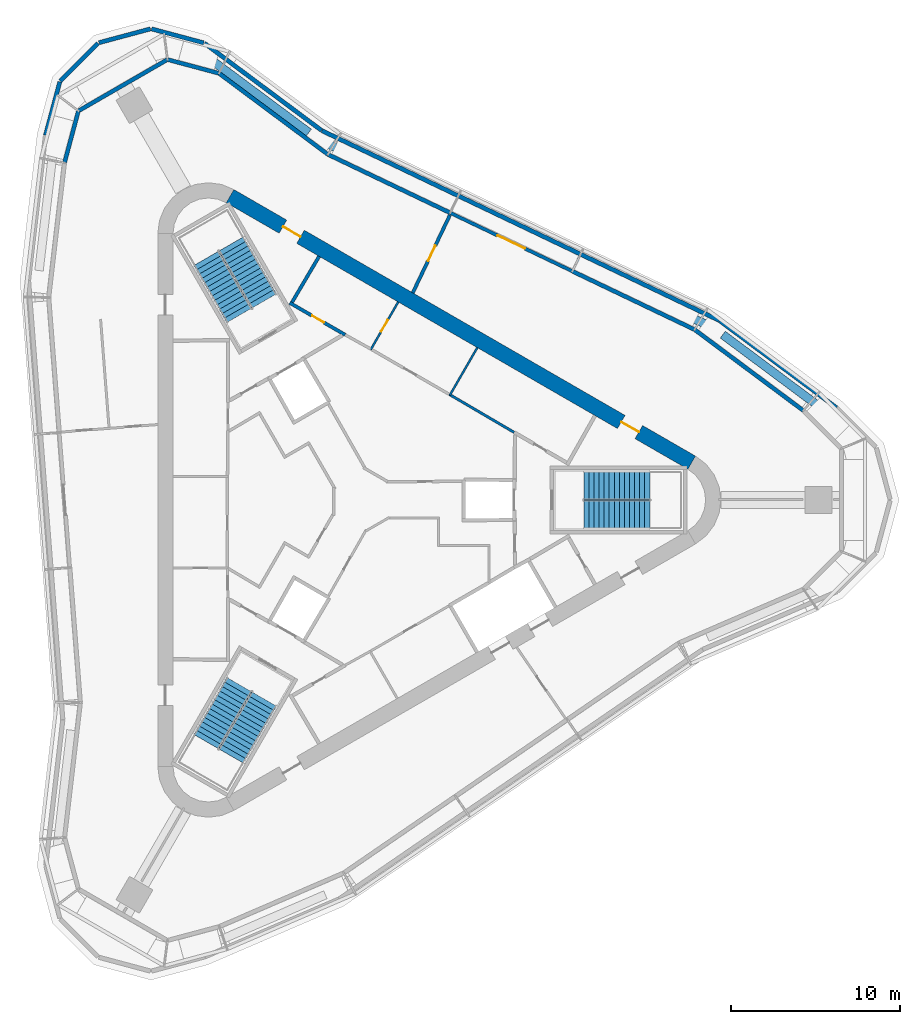
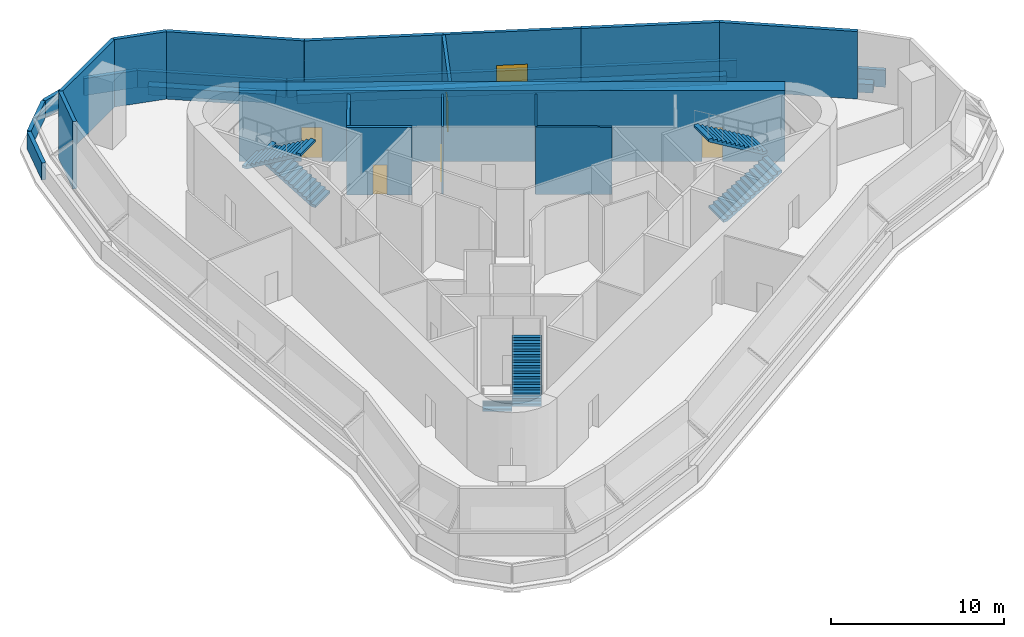
# One storey, part 7 of 8: 25 walls, 6 doors, 6 stair flights, 6 openings, 3 elements without a shape of their own.
"""IFC4 building model written with IfcOpenShell, lengths in metres."""

from ifc_helpers import new_model, si_unit, direction, frame, frame_2d, origin, place, context, subcontext, project, spatial, polyline, rectangle, outline, extrude, material, layer, layer_set, type_object, element, fill, aggregate, save


model = new_model("IFC4")

# Units and contexts
model_context = context("Model", 3, precision=1e-05, world=origin(), true_north=direction((0.0, 1.0)))
body_context = subcontext(model_context, "Body", "Model", "MODEL_VIEW")
ifc_project = project(units=[si_unit("LENGTHUNIT", "METRE"), si_unit("AREAUNIT", "SQUARE_METRE"), si_unit("VOLUMEUNIT", "CUBIC_METRE"), si_unit("PLANEANGLEUNIT", "RADIAN"), si_unit("MASSUNIT", "GRAM", prefix="KILO")], contexts=[model_context])

# Site, building, storey
site_placement = place(None, origin())
site = spatial("IfcSite", under=ifc_project, at=site_placement, CompositionType="ELEMENT")
building_placement = place(site_placement, origin())
building = spatial("IfcBuilding", under=site, at=building_placement, Name="Tanit Gate Tower", CompositionType="ELEMENT")
storey_placement = place(building_placement, frame((0.0, 0.0, 415.300048828125)))
storey = spatial("IfcBuildingStorey", under=building, at=storey_placement, Name="L94", CompositionType="ELEMENT", Elevation=415.300048828125)

# Wall, openings, doors
ifc_material_1 = material(Name="Concrete C40/50", Category="concrete")
ifc_layer_1 = layer(ifc_material_1, 0.89990234375)
ifc_layer_set_1 = layer_set([ifc_layer_1], Name="CORE WALL 900 C40/50")
wall_type_1 = type_object("IfcWallType", Name="CORE WALL 900 C40/50", PredefinedType="SHEAR", material=ifc_layer_set_1)
wall_1_placement = place(storey_placement, frame((19.47509765625, 2.20849609375, 0.0), z_axis=(0.0, 0.0, 1.0), x_axis=(-0.866028369851, 0.499994862586, 0.0)))
wall_1 = element("IfcWall", 1, at=wall_1_placement, inside=storey, type_object=wall_type_1, Name="CORE WALL", PredefinedType="SHEAR", context=body_context, shape_type="SweptSolid", body=[
    extrude(rectangle(XDim=31.523193359375, YDim=0.89990234375, at=frame_2d((15.76171875, 0.0))), origin(), (0.0, 0.0, 1.0), 5.0),
])
opening_1_placement = place(wall_1_placement, frame((3.611572265625, 0.0, 0.0)))
opening_1 = element("IfcOpeningElement", 2, at=opening_1_placement, cuts=wall_1, Name="Opening F12-94-FL1", PredefinedType="OPENING", context=body_context, shape_type="SweptSolid", body=[
    extrude(rectangle(XDim=1.199951171875, YDim=2.39990234375, at=frame_2d((0.60009765625, 1.199951171875))), frame((0.0, 0.4599609375, 0.0), z_axis=(0.0, -1.0, 0.0), x_axis=(1.0, 0.0, 0.0)), (0.0, 0.0, 1.0), 0.919921875),
])
opening_2_placement = place(wall_1_placement, frame((26.711669921875, 0.0, 0.0)))
opening_2 = element("IfcOpeningElement", 3, at=opening_2_placement, cuts=wall_1, Name="Opening F12-94-S2", PredefinedType="OPENING", context=body_context, shape_type="SweptSolid", body=[
    extrude(rectangle(XDim=1.199951171875, YDim=2.39990234375, at=frame_2d((0.60009765625, 1.199951171875))), frame((0.0, 0.4599609375, 0.0), z_axis=(0.0, -1.0, 0.0), x_axis=(1.0, 0.0, 0.0)), (0.0, 0.0, 1.0), 0.919921875),
])
ifc_material_2 = material(Name="Fire-rated steel door leaf", Category="steel")
door_type_1 = type_object("IfcDoorType", Name="INT-DOOR-FIRE-LOBBY-1200", OperationType="NOTDEFINED", PredefinedType="USERDEFINED", material=ifc_material_2)
door_1_placement = place(opening_1_placement, origin())
door_1 = element("IfcDoor", 4, at=door_1_placement, inside=storey, type_object=door_type_1, Name="Door F12-94-FL1", ObjectType="FIRE DOOR", OperationType="SINGLE_SWING_RIGHT", OverallHeight=2.39990234375, OverallWidth=1.199951171875, PredefinedType="USERDEFINED", context=body_context, shape_type="SweptSolid", body=[
    extrude(rectangle(XDim=1.199951171875, YDim=2.39990234375, at=frame_2d((0.60009765625, 1.199951171875))), frame((0.0, 0.02490234375, 0.0), z_axis=(0.0, -1.0, 0.0), x_axis=(1.0, 0.0, 0.0)), (0.0, 0.0, 1.0), 0.050048828125),
])
fill(opening_1, door_1)
door_2_placement = place(opening_2_placement, origin())
door_2 = element("IfcDoor", 5, at=door_2_placement, inside=storey, type_object=door_type_1, Name="Door F12-94-S2", ObjectType="FIRE DOOR", OperationType="SINGLE_SWING_LEFT", OverallHeight=2.39990234375, OverallWidth=1.199951171875, PredefinedType="USERDEFINED", context=body_context, shape_type="SweptSolid", body=[
    extrude(rectangle(XDim=1.199951171875, YDim=2.39990234375, at=frame_2d((0.60009765625, 1.199951171875))), frame((0.0, 0.02490234375, 0.0), z_axis=(0.0, -1.0, 0.0), x_axis=(1.0, 0.0, 0.0)), (0.0, 0.0, 1.0), 0.050048828125),
])
fill(opening_2, door_2)

# Wall, opening, door
ifc_material_3 = material(Name="Concrete C30/37 rendered", Category="concrete")
ifc_layer_2 = layer(ifc_material_3, 0.199951171875)
ifc_layer_set_2 = layer_set([ifc_layer_2], Name="Facade wall 200 rendered")
wall_type_2 = type_object("IfcWallType", Name="Facade wall 200 rendered", PredefinedType="SOLIDWALL", material=ifc_layer_set_2)
wall_2_placement = place(storey_placement, frame((12.40673828125, 13.533935546875, 0.0), z_axis=(0.0, 0.0, 1.0), x_axis=(-0.902318881861, 0.431069177091, 0.0)))
wall_2 = element("IfcWall", 6, at=wall_2_placement, inside=storey, type_object=wall_type_2, Name="Facade wall L94 NE2.2", PredefinedType="SOLIDWALL", context=body_context, shape_type="SweptSolid", body=[
    extrude(rectangle(XDim=7.98388671875, YDim=0.199951171875, at=frame_2d((3.991943359375, 0.0))), origin(), (0.0, 0.0, 1.0), 4.75),
])
opening_3_placement = place(wall_2_placement, frame((3.091796875, 0.0, 0.0)))
opening_3 = element("IfcOpeningElement", 7, at=opening_3_placement, cuts=wall_2, Name="Opening D2", PredefinedType="OPENING", context=body_context, shape_type="SweptSolid", body=[
    extrude(rectangle(XDim=1.800048828125, YDim=2.39990234375, at=frame_2d((0.89990234375, 1.199951171875))), frame((0.0, 0.10986328125, 0.0), z_axis=(0.0, -1.0, 0.0), x_axis=(1.0, 0.0, 0.0)), (0.0, 0.0, 1.0), 0.219970703125),
])
ifc_material_4 = material(Name="Aluminium bronze anodised and glass", Category="aluminium")
door_type_2 = type_object("IfcDoorType", Name="Terrace door double 1800x2400", OperationType="DOUBLE_DOOR_SINGLE_SWING", PredefinedType="DOOR", material=ifc_material_4)
door_3_placement = place(opening_3_placement, frame((1.800048828125, 0.0, 0.0), z_axis=(0.0, 0.0, 1.0), x_axis=(-1.0, 0.0, 0.0)))
door_3 = element("IfcDoor", 8, at=door_3_placement, inside=storey, type_object=door_type_2, Name="Terrace door", OperationType="SINGLE_SWING_RIGHT", OverallHeight=2.39990234375, OverallWidth=1.800048828125, PredefinedType="DOOR", context=body_context, shape_type="SweptSolid", body=[
    extrude(rectangle(XDim=1.800048828125, YDim=2.39990234375, at=frame_2d((0.89990234375, 1.199951171875))), frame((0.0, 0.02490234375, 0.0), z_axis=(0.0, -1.0, 0.0), x_axis=(1.0, 0.0, 0.0)), (0.0, 0.0, 1.0), 0.050048828125),
])
fill(opening_3, door_3)

# Walls
ifc_material_5 = material(Name="Concrete C30/37 with bronze anodised aluminium cladding", Category="concrete")
ifc_layer_3 = layer(ifc_material_5, 0.239990234375)
ifc_layer_set_3 = layer_set([ifc_layer_3], Name="Facade wall bronze clad 240")
wall_type_3 = type_object("IfcWallType", Name="Facade wall bronze clad 240", PredefinedType="SOLIDWALL", material=ifc_layer_set_3)
wall_3_placement = place(storey_placement, frame((26.078857421875, 5.284423828125, 0.0), z_axis=(0.0, 0.0, 1.0), x_axis=(-0.801990053173, 0.597337387589, 0.0)))
element("IfcWall", 9, at=wall_3_placement, inside=storey, type_object=wall_type_3, Name="Bronze-clad facade wall L94 NE1", PredefinedType="SOLIDWALL", context=body_context, shape_type="SweptSolid", body=[
    extrude(rectangle(XDim=8.020263671875, YDim=0.239990234375, at=frame_2d((4.01025390625, 0.0))), origin(), (0.0, 0.0, 1.0), 4.75),
])
wall_4_placement = place(storey_placement, frame((19.646728515625, 10.0751953125, 0.0), z_axis=(0.0, 0.0, 1.0), x_axis=(-0.902321568676, 0.431063552974, 0.0)))
element("IfcWall", 10, at=wall_4_placement, inside=storey, type_object=wall_type_3, Name="Bronze-clad facade wall L94 NE2a", PredefinedType="SOLIDWALL", context=body_context, shape_type="SweptSolid", body=[
    extrude(rectangle(XDim=8.023681640625, YDim=0.239990234375, at=frame_2d((4.01171875, 0.0))), origin(), (0.0, 0.0, 1.0), 4.75),
])
wall_5_placement = place(storey_placement, frame((5.20263671875, 16.9755859375, 0.0), z_axis=(0.0, 0.0, 1.0), x_axis=(-0.902309733551, 0.431088325913, 0.0)))
element("IfcWall", 11, at=wall_5_placement, inside=storey, type_object=wall_type_3, Name="Bronze-clad facade wall L94 NE2b", PredefinedType="SOLIDWALL", context=body_context, shape_type="SweptSolid", body=[
    extrude(rectangle(XDim=8.02392578125, YDim=0.239990234375, at=frame_2d((4.011962890625, 0.0))), origin(), (0.0, 0.0, 1.0), 4.75),
])
wall_6_placement = place(storey_placement, frame((-2.037353515625, 20.4345703125, 0.0), z_axis=(0.0, 0.0, 1.0), x_axis=(-0.801980505983, 0.59735020551, 0.0)))
element("IfcWall", 12, at=wall_6_placement, inside=storey, type_object=wall_type_3, Name="Bronze-clad facade wall L94 NE3", PredefinedType="SOLIDWALL", context=body_context, shape_type="SweptSolid", body=[
    extrude(rectangle(XDim=8.029541015625, YDim=0.239990234375, at=frame_2d((4.0146484375, 0.0))), origin(), (0.0, 0.0, 1.0), 4.75),
])
wall_7_placement = place(storey_placement, frame((-8.476806640625, 25.23095703125, 0.0), z_axis=(0.0, 0.0, 1.0), x_axis=(-0.96594046017, 0.258764424539, 0.0)))
element("IfcWall", 13, at=wall_7_placement, inside=storey, type_object=wall_type_3, Name="Bronze-clad facade wall L94 NW.arc1", PredefinedType="SOLIDWALL", context=body_context, shape_type="SweptSolid", body=[
    extrude(rectangle(XDim=3.157958984375, YDim=0.239990234375, at=frame_2d((1.5791015625, 0.0))), origin(), (0.0, 0.0, 1.0), 4.75),
])
wall_8_placement = place(storey_placement, frame((-11.527099609375, 26.048095703125, 0.0), z_axis=(0.0, 0.0, 1.0), x_axis=(-0.866033863416, -0.499985347202, 0.0)))
element("IfcWall", 14, at=wall_8_placement, inside=storey, type_object=wall_type_3, Name="Bronze-clad facade wall L94 NW.arc2", PredefinedType="SOLIDWALL", context=body_context, shape_type="SweptSolid", body=[
    extrude(rectangle(XDim=6.082763671875, YDim=0.239990234375, at=frame_2d((3.04150390625, 0.0))), origin(), (0.0, 0.0, 1.0), 4.75),
])
wall_9_placement = place(storey_placement, frame((-16.794921875, 23.0068359375, 0.0), z_axis=(0.0, 0.0, 1.0), x_axis=(-0.258764298086, -0.965940494045, 0.0)))
element("IfcWall", 15, at=wall_9_placement, inside=storey, type_object=wall_type_3, Name="Bronze-clad facade wall L94 NW.arc3", PredefinedType="SOLIDWALL", context=body_context, shape_type="SweptSolid", body=[
    extrude(rectangle(XDim=3.172119140625, YDim=0.239990234375, at=frame_2d((1.5859375, 0.0))), origin(), (0.0, 0.0, 1.0), 4.75),
])

# Wall, opening, door
ifc_material_6 = material(Name="Fire-rated gypsum board partition")
ifc_layer_4 = layer(ifc_material_6, 0.199951171875)
ifc_layer_set_4 = layer_set([ifc_layer_4], Name="INT-WALL-COMPARTMENT")
wall_type_4 = type_object("IfcWallType", Name="INT-WALL-COMPARTMENT", PredefinedType="PARTITIONING", material=ifc_layer_set_4)
wall_10_placement = place(storey_placement, frame((-4.295654296875, 11.659912109375, 0.0), z_axis=(0.0, 0.0, 1.0), x_axis=(0.866027389382, -0.499996560828, 0.0)))
wall_10 = element("IfcWall", 16, at=wall_10_placement, inside=storey, type_object=wall_type_4, Name="Wall Compartment W046", PredefinedType="PARTITIONING", context=body_context, shape_type="SweptSolid", body=[
    extrude(rectangle(XDim=3.77783203125, YDim=0.199951171875, at=frame_2d((1.888916015625, 0.0))), origin(), (0.0, 0.0, 1.0), 4.75),
])
opening_4_placement = place(wall_10_placement, frame((1.538818359375, 0.0, 0.0)))
opening_4 = element("IfcOpeningElement", 17, at=opening_4_placement, cuts=wall_10, Name="Opening R08-94-18", PredefinedType="OPENING", context=body_context, shape_type="SweptSolid", body=[
    extrude(rectangle(XDim=0.800048828125, YDim=2.10009765625, at=frame_2d((0.39990234375, 1.050048828125))), frame((0.0, 0.10986328125, 0.0), z_axis=(0.0, -1.0, 0.0), x_axis=(1.0, 0.0, 0.0)), (0.0, 0.0, 1.0), 0.219970703125),
])
ifc_material_7 = material(Name="Timber door leaf", Category="wood")
door_type_3 = type_object("IfcDoorType", Name="INT-DOOR-RISER-800", OperationType="NOTDEFINED", PredefinedType="USERDEFINED", material=ifc_material_7)
door_4_placement = place(opening_4_placement, origin())
door_4 = element("IfcDoor", 18, at=door_4_placement, inside=storey, type_object=door_type_3, Name="Door R08-94-18", ObjectType="FIRE DOOR", OperationType="SINGLE_SWING_RIGHT", OverallHeight=2.10009765625, OverallWidth=0.800048828125, PredefinedType="USERDEFINED", context=body_context, shape_type="SweptSolid", body=[
    extrude(rectangle(XDim=0.800048828125, YDim=2.10009765625, at=frame_2d((0.39990234375, 1.050048828125))), frame((0.0, 0.02490234375, 0.0), z_axis=(0.0, -1.0, 0.0), x_axis=(1.0, 0.0, 0.0)), (0.0, 0.0, 1.0), 0.050048828125),
])
fill(opening_4, door_4)

# Wall
wall_11_placement = place(storey_placement, frame((-2.557861328125, 14.409423828125, 0.0), z_axis=(0.0, 0.0, 1.0), x_axis=(-0.508018930956, -0.861345903683, 0.0)))
element("IfcWall", 19, at=wall_11_placement, inside=storey, type_object=wall_type_4, Name="Wall Compartment W047", PredefinedType="PARTITIONING", context=body_context, shape_type="SweptSolid", body=[
    extrude(rectangle(XDim=3.150146484375, YDim=0.199951171875, at=frame_2d((1.5751953125, 0.0))), origin(), (0.0, 0.0, 1.0), 4.75),
])

# Wall, opening, door
wall_12_placement = place(storey_placement, frame((5.176025390625, 16.849853515625, 0.0), z_axis=(0.0, 0.0, 1.0), x_axis=(-0.431140150859, -0.902284971789, 0.0)))
wall_12 = element("IfcWall", 20, at=wall_12_placement, inside=storey, type_object=wall_type_4, Name="Wall Compartment W085", PredefinedType="PARTITIONING", context=body_context, shape_type="SweptSolid", body=[
    extrude(rectangle(XDim=5.095947265625, YDim=0.199951171875, at=frame_2d((2.5478515625, 0.0))), origin(), (0.0, 0.0, 1.0), 4.75),
])
opening_5_placement = place(wall_12_placement, frame((2.0, 0.0, 0.0)))
opening_5 = element("IfcOpeningElement", 21, at=opening_5_placement, cuts=wall_12, Name="Opening F10-94-24", PredefinedType="OPENING", context=body_context, shape_type="SweptSolid", body=[
    extrude(rectangle(XDim=1.0, YDim=2.10009765625, at=frame_2d((0.5, 1.050048828125))), frame((0.0, 0.10986328125, 0.0), z_axis=(0.0, -1.0, 0.0), x_axis=(1.0, 0.0, 0.0)), (0.0, 0.0, 1.0), 0.219970703125),
])
ifc_material_8 = material(Name="Fire-rated steel door leaf", Category="steel")
door_type_4 = type_object("IfcDoorType", Name="INT-DOOR-FIRE-1000", OperationType="NOTDEFINED", PredefinedType="USERDEFINED", material=ifc_material_8)
door_5_placement = place(opening_5_placement, origin())
door_5 = element("IfcDoor", 22, at=door_5_placement, inside=storey, type_object=door_type_4, Name="Door F10-94-24", ObjectType="FIRE DOOR", OperationType="SINGLE_SWING_LEFT", OverallHeight=2.10009765625, OverallWidth=1.0, PredefinedType="USERDEFINED", context=body_context, shape_type="SweptSolid", body=[
    extrude(rectangle(XDim=1.0, YDim=2.10009765625, at=frame_2d((0.5, 1.050048828125))), frame((0.0, 0.02490234375, 0.0), z_axis=(0.0, -1.0, 0.0), x_axis=(1.0, 0.0, 0.0)), (0.0, 0.0, 1.0), 0.050048828125),
])
fill(opening_5, door_5)

# Wall
ifc_material_9 = material(Name="Gypsum board partition")
ifc_layer_5 = layer(ifc_material_9, 0.1201171875)
ifc_layer_set_5 = layer_set([ifc_layer_5], Name="INT-WALL-PARTITION")
wall_type_5 = type_object("IfcWallType", Name="INT-WALL-PARTITION", PredefinedType="PARTITIONING", material=ifc_layer_set_5)
wall_13_placement = place(storey_placement, frame((6.795166015625, 9.009521484375, 0.0), z_axis=(0.0, 0.0, 1.0), x_axis=(-0.499984717929, -0.866034226713, 0.0)))
element("IfcWall", 23, at=wall_13_placement, inside=storey, type_object=wall_type_5, Name="Wall Partition W040", PredefinedType="PARTITIONING", context=body_context, shape_type="SweptSolid", body=[
    extrude(rectangle(XDim=3.25, YDim=0.1201171875, at=frame_2d((1.625, 0.0))), origin(), (0.0, 0.0, 1.0), 4.75),
])

# Wall, opening, door
wall_14_placement = place(storey_placement, frame((2.11865234375, 11.70947265625, 0.0), z_axis=(0.0, 0.0, 1.0), x_axis=(-0.500017246033, -0.866015446554, 0.0)))
wall_14 = element("IfcWall", 24, at=wall_14_placement, inside=storey, type_object=wall_type_5, Name="Wall Partition W044", PredefinedType="PARTITIONING", context=body_context, shape_type="SweptSolid", body=[
    extrude(rectangle(XDim=3.25, YDim=0.1201171875, at=frame_2d((1.625, 0.0))), origin(), (0.0, 0.0, 1.0), 4.75),
])
opening_6_placement = place(wall_14_placement, frame((1.22509765625, 0.0, 0.0)))
opening_6 = element("IfcOpeningElement", 25, at=opening_6_placement, cuts=wall_14, Name="Opening R08-94-17", PredefinedType="OPENING", context=body_context, shape_type="SweptSolid", body=[
    extrude(rectangle(XDim=0.800048828125, YDim=2.10009765625, at=frame_2d((0.39990234375, 1.050048828125))), frame((0.0, 0.070068359375, 0.0), z_axis=(0.0, -1.0, 0.0), x_axis=(1.0, 0.0, 0.0)), (0.0, 0.0, 1.0), 0.14013671875),
])
door_6_placement = place(opening_6_placement, origin())
door_6 = element("IfcDoor", 26, at=door_6_placement, inside=storey, type_object=door_type_3, Name="Door R08-94-17", ObjectType="FIRE DOOR", OperationType="SINGLE_SWING_RIGHT", OverallHeight=2.10009765625, OverallWidth=0.800048828125, PredefinedType="USERDEFINED", context=body_context, shape_type="SweptSolid", body=[
    extrude(rectangle(XDim=0.800048828125, YDim=2.10009765625, at=frame_2d((0.39990234375, 1.050048828125))), frame((0.0, 0.02490234375, 0.0), z_axis=(0.0, -1.0, 0.0), x_axis=(1.0, 0.0, 0.0)), (0.0, 0.0, 1.0), 0.050048828125),
])
fill(opening_6, door_6)

# Walls
ifc_material_10 = material(Name="Fire-rated gypsum board partition")
ifc_layer_6 = layer(ifc_material_10, 0.14990234375)
ifc_layer_set_6 = layer_set([ifc_layer_6], Name="INT-WALL-RISER")
wall_type_6 = type_object("IfcWallType", Name="INT-WALL-RISER", PredefinedType="PLUMBINGWALL", material=ifc_layer_set_6)
wall_15_placement = place(storey_placement, frame((8.974365234375, 3.9990234375, 0.0), z_axis=(0.0, 0.0, 1.0), x_axis=(-0.862665579, 0.505774751059, 0.0)))
element("IfcWall", 27, at=wall_15_placement, inside=storey, type_object=wall_type_6, Name="Wall Riser W043", PredefinedType="PLUMBINGWALL", context=body_context, shape_type="SweptSolid", body=[
    extrude(rectangle(XDim=4.422607421875, YDim=0.14990234375, at=frame_2d((2.21142578125, 0.0))), origin(), (0.0, 0.0, 1.0), 4.75),
])
ifc_material_11 = material(Name="Concrete C30/37", Category="concrete")
ifc_layer_7 = layer(ifc_material_11, 0.25)
ifc_layer_set_7 = layer_set([ifc_layer_7], Name="Parapet wall 250")
wall_type_7 = type_object("IfcWallType", Name="Parapet wall 250", PredefinedType="PARAPET", material=ifc_layer_set_7)
wall_16_placement = place(storey_placement, frame((-18.7392578125, 21.56884765625, 0.0400390625), z_axis=(0.0, 0.0, 1.0), x_axis=(0.258795766107, 0.965932063577, 0.0)))
element("IfcWall", 28, at=wall_16_placement, inside=storey, type_object=wall_type_7, Name="Terrace parapet L94 15", PredefinedType="PARAPET", context=body_context, shape_type="SweptSolid", body=[
    extrude(rectangle(XDim=3.271728515625, YDim=0.25, at=frame_2d((1.6357421875, 0.0))), origin(), (0.0, 0.0, 1.0), 1.199951171875),
])
wall_17_placement = place(storey_placement, frame((-17.860107421875, 24.78515625, 0.0400390625), z_axis=(0.0, 0.0, 1.0), x_axis=(0.70714553632, 0.707068023929, 0.0)))
element("IfcWall", 29, at=wall_17_placement, inside=storey, type_object=wall_type_7, Name="Terrace parapet L94 16", PredefinedType="PARAPET", context=body_context, shape_type="SweptSolid", body=[
    extrude(rectangle(XDim=3.149658203125, YDim=0.25, at=frame_2d((1.57470703125, 0.0))), origin(), (0.0, 0.0, 1.0), 1.199951171875),
])
wall_18_placement = place(storey_placement, frame((-15.576904296875, 27.044677734375, 0.0400390625), z_axis=(0.0, 0.0, 1.0), x_axis=(0.965929369104, 0.258805822776, 0.0)))
element("IfcWall", 30, at=wall_18_placement, inside=storey, type_object=wall_type_7, Name="Terrace parapet L94 17", PredefinedType="PARAPET", context=body_context, shape_type="SweptSolid", body=[
    extrude(rectangle(XDim=3.14990234375, YDim=0.25, at=frame_2d((1.574951171875, 0.0))), origin(), (0.0, 0.0, 1.0), 1.199951171875),
])
wall_19_placement = place(storey_placement, frame((-12.4697265625, 27.85986328125, 0.0400390625), z_axis=(0.0, 0.0, 1.0), x_axis=(0.965922490288, -0.258831494908, 0.0)))
element("IfcWall", 31, at=wall_19_placement, inside=storey, type_object=wall_type_7, Name="Terrace parapet L94 18", PredefinedType="PARAPET", context=body_context, shape_type="SweptSolid", body=[
    extrude(rectangle(XDim=3.197509765625, YDim=0.25, at=frame_2d((1.5986328125, 0.0))), origin(), (0.0, 0.0, 1.0), 1.199951171875),
])
wall_20_placement = place(storey_placement, frame((-9.3388671875, 27.01171875, 0.0400390625), z_axis=(0.0, 0.0, 1.0), x_axis=(0.801993270913, -0.5973330674, 0.0)))
element("IfcWall", 32, at=wall_20_placement, inside=storey, type_object=wall_type_7, Name="Terrace parapet L94 19", PredefinedType="PARAPET", context=body_context, shape_type="SweptSolid", body=[
    extrude(rectangle(XDim=8.637939453125, YDim=0.25, at=frame_2d((4.31884765625, 0.0))), origin(), (0.0, 0.0, 1.0), 1.199951171875),
])
wall_21_placement = place(storey_placement, frame((-2.390625, 21.839599609375, 0.0400390625), z_axis=(0.0, 0.0, 1.0), x_axis=(0.902315972125, -0.43107526773, 0.0)))
element("IfcWall", 33, at=wall_21_placement, inside=storey, type_object=wall_type_7, Name="Terrace parapet L94 20", PredefinedType="PARAPET", context=body_context, shape_type="SweptSolid", body=[
    extrude(rectangle(XDim=26.039794921875, YDim=0.25, at=frame_2d((13.02001953125, 0.0))), origin(), (0.0, 0.0, 1.0), 1.199951171875),
])
wall_22_placement = place(storey_placement, frame((21.126220703125, 10.601806640625, 0.0400390625), z_axis=(0.0, 0.0, 1.0), x_axis=(0.801988513361, -0.597339454948, 0.0)))
element("IfcWall", 34, at=wall_22_placement, inside=storey, type_object=wall_type_7, Name="Terrace parapet L94 21", PredefinedType="PARAPET", context=body_context, shape_type="SweptSolid", body=[
    extrude(rectangle(XDim=8.614501953125, YDim=0.25, at=frame_2d((4.30712890625, 0.0))), origin(), (0.0, 0.0, 1.0), 1.199951171875),
])
ifc_material_12 = material(Name="Concrete C30/37", Category="concrete")
ifc_layer_8 = layer(ifc_material_12, 0.5)
ifc_layer_set_8 = layer_set([ifc_layer_8], Name="Planter box 600")
wall_type_8 = type_object("IfcWallType", Name="Planter box 600", PredefinedType="PARAPET", material=ifc_layer_set_8)
wall_23_placement = place(storey_placement, frame((-9.120849609375, 26.16357421875, 0.0400390625), z_axis=(0.0, 0.0, 1.0), x_axis=(0.801981083113, -0.597349430677, 0.0)))
element("IfcWall", 35, at=wall_23_placement, inside=storey, type_object=wall_type_8, Name="PLANTER", PredefinedType="PARAPET", context=body_context, shape_type="SweptSolid", body=[
    extrude(rectangle(XDim=7.422119140625, YDim=0.5, at=frame_2d((3.7109375, 0.0))), origin(), (0.0, 0.0, 1.0), 0.599853515625),
])
wall_24_placement = place(storey_placement, frame((-2.145751953125, 21.113037109375, 0.0400390625), z_axis=(0.0, 0.0, 1.0), x_axis=(0.902316759071, -0.43107362051, 0.0)))
element("IfcWall", 36, at=wall_24_placement, inside=storey, type_object=wall_type_8, Name="PLANTER", PredefinedType="PARAPET", context=body_context, shape_type="SweptSolid", body=[
    extrude(rectangle(XDim=24.864013671875, YDim=0.5, at=frame_2d((12.43212890625, 0.0))), origin(), (0.0, 0.0, 1.0), 0.599853515625),
])
wall_25_placement = place(storey_placement, frame((21.312255859375, 9.777587890625, 0.0400390625), z_axis=(0.0, 0.0, 1.0), x_axis=(0.80198277928, -0.597347153453, 0.0)))
element("IfcWall", 37, at=wall_25_placement, inside=storey, type_object=wall_type_8, Name="PLANTER", PredefinedType="PARAPET", context=body_context, shape_type="SweptSolid", body=[
    extrude(rectangle(XDim=7.342041015625, YDim=0.5, at=frame_2d((3.6708984375, 0.0))), origin(), (0.0, 0.0, 1.0), 0.599853515625),
])

# Stair, stair flights
ifc_material_13 = material(Name="Concrete C40/50", Category="concrete")
stair_type = type_object("IfcStairType", Name="INT-STAIR-EXIT", PredefinedType="HALF_TURN_STAIR", material=ifc_material_13)
stair_1_placement = place(storey_placement, origin())
stair_1 = element("IfcStair", 38, at=stair_1_placement, inside=storey, type_object=stair_type, Name="L94 STAIR S1", PredefinedType="HALF_TURN_STAIR")
ifc_material_14 = material(Name="Concrete C40/50", Category="concrete")
stair_flight_type = type_object("IfcStairFlightType", Name="INT-STAIR-FLIGHT", PredefinedType="STRAIGHT", material=ifc_material_14)
stair_flight_1_placement = place(storey_placement, frame((13.094970703125, -0.8525390625, 0.0), z_axis=(0.0, 0.0, 1.0), x_axis=(1.0, 0.0, 0.0)))
stair_flight_1 = element("IfcStairFlight", 39, at=stair_flight_1_placement, type_object=stair_flight_type, Name="S1 flight 1", NumberOfRisers=14, NumberOfTreads=13, PredefinedType="STRAIGHT", RiserHeight=0.178571429, TreadLength=0.3, context=body_context, shape_type="SweptSolid", body=[
    extrude(outline(polyline([(0.0, 0.0), (0.0, 0.178466796875), (0.300048828125, 0.178466796875), (0.300048828125, 0.357177734375), (0.60009765625, 0.357177734375), (0.60009765625, 0.53564453125), (0.89990234375, 0.53564453125), (0.89990234375, 0.71435546875), (1.199951171875, 0.71435546875), (1.199951171875, 0.892822265625), (1.5, 0.892822265625), (1.5, 1.071533203125), (1.800048828125, 1.071533203125), (1.800048828125, 1.25), (2.10009765625, 1.25), (2.10009765625, 1.428466796875), (2.39990234375, 1.428466796875), (2.39990234375, 1.607177734375), (2.699951171875, 1.607177734375), (2.699951171875, 1.78564453125), (3.0, 1.78564453125), (3.0, 1.96435546875), (3.300048828125, 1.96435546875), (3.300048828125, 2.142822265625), (3.60009765625, 2.142822265625), (3.60009765625, 2.321533203125), (3.89990234375, 2.321533203125), (3.89990234375, 2.5), (3.89990234375, 2.14697265625), (0.29296875, 0.0), (0.0, 0.0)])), frame((0.0, 0.84765625, 0.0), z_axis=(0.0, -1.0, 0.0), x_axis=(1.0, 0.0, 0.0)), (0.0, 0.0, 1.0), 1.695068359375),
])
stair_flight_2_placement = place(storey_placement, frame((16.9951171875, 0.8525390625, 2.5), z_axis=(0.0, 0.0, 1.0), x_axis=(-1.0, 0.0, 0.0)))
stair_flight_2 = element("IfcStairFlight", 40, at=stair_flight_2_placement, type_object=stair_flight_type, Name="S1 flight 2", NumberOfRisers=14, NumberOfTreads=13, PredefinedType="STRAIGHT", RiserHeight=0.178571429, TreadLength=0.3, context=body_context, shape_type="SweptSolid", body=[
    extrude(outline(polyline([(0.0, 0.0), (0.0, 0.178466796875), (0.300048828125, 0.178466796875), (0.300048828125, 0.357177734375), (0.60009765625, 0.357177734375), (0.60009765625, 0.53564453125), (0.89990234375, 0.53564453125), (0.89990234375, 0.71435546875), (1.199951171875, 0.71435546875), (1.199951171875, 0.892822265625), (1.5, 0.892822265625), (1.5, 1.071533203125), (1.800048828125, 1.071533203125), (1.800048828125, 1.25), (2.10009765625, 1.25), (2.10009765625, 1.428466796875), (2.39990234375, 1.428466796875), (2.39990234375, 1.607177734375), (2.699951171875, 1.607177734375), (2.699951171875, 1.78564453125), (3.0, 1.78564453125), (3.0, 1.96435546875), (3.300048828125, 1.96435546875), (3.300048828125, 2.142822265625), (3.60009765625, 2.142822265625), (3.60009765625, 2.321533203125), (3.89990234375, 2.321533203125), (3.89990234375, 2.5), (3.89990234375, 2.14697265625), (0.29296875, 0.0), (0.0, 0.0)])), frame((0.0, 0.84765625, 0.0), z_axis=(0.0, -1.0, 0.0), x_axis=(1.0, 0.0, 0.0)), (0.0, 0.0, 1.0), 1.695068359375),
])
aggregate(stair_1, [stair_flight_1, stair_flight_2])

stair_2_placement = place(storey_placement, origin())
stair_2 = element("IfcStair", 41, at=stair_2_placement, inside=storey, type_object=stair_type, Name="L94 STAIR S2", PredefinedType="HALF_TURN_STAIR")
stair_flight_3_placement = place(storey_placement, frame((-5.808349609375, 11.766357421875, 0.0), z_axis=(0.0, 0.0, 1.0), x_axis=(-0.5, 0.866025403784, 0.0)))
stair_flight_3 = element("IfcStairFlight", 42, at=stair_flight_3_placement, type_object=stair_flight_type, Name="S2 flight 1", NumberOfRisers=14, NumberOfTreads=13, PredefinedType="STRAIGHT", RiserHeight=0.178571429, TreadLength=0.3, context=body_context, shape_type="SweptSolid", body=[
    extrude(outline(polyline([(0.0, 0.0), (0.0, 0.178466796875), (0.300048828125, 0.178466796875), (0.300048828125, 0.357177734375), (0.60009765625, 0.357177734375), (0.60009765625, 0.53564453125), (0.89990234375, 0.53564453125), (0.89990234375, 0.71435546875), (1.199951171875, 0.71435546875), (1.199951171875, 0.892822265625), (1.5, 0.892822265625), (1.5, 1.071533203125), (1.800048828125, 1.071533203125), (1.800048828125, 1.25), (2.10009765625, 1.25), (2.10009765625, 1.428466796875), (2.39990234375, 1.428466796875), (2.39990234375, 1.607177734375), (2.699951171875, 1.607177734375), (2.699951171875, 1.78564453125), (3.0, 1.78564453125), (3.0, 1.96435546875), (3.300048828125, 1.96435546875), (3.300048828125, 2.142822265625), (3.60009765625, 2.142822265625), (3.60009765625, 2.321533203125), (3.89990234375, 2.321533203125), (3.89990234375, 2.5), (3.89990234375, 2.14697265625), (0.29296875, 0.0), (0.0, 0.0)])), frame((0.0, 0.84716796875, 0.0), z_axis=(0.0, -1.0, 0.0), x_axis=(1.0, 0.0, 0.0)), (0.0, 0.0, 1.0), 1.694091796875),
])
stair_flight_4_placement = place(storey_placement, frame((-9.23583984375, 14.290771484375, 2.5), z_axis=(0.0, 0.0, 1.0), x_axis=(0.5, -0.866025403784, 0.0)))
stair_flight_4 = element("IfcStairFlight", 43, at=stair_flight_4_placement, type_object=stair_flight_type, Name="S2 flight 2", NumberOfRisers=14, NumberOfTreads=13, PredefinedType="STRAIGHT", RiserHeight=0.178571429, TreadLength=0.3, context=body_context, shape_type="SweptSolid", body=[
    extrude(outline(polyline([(0.0, 0.0), (0.0, 0.178466796875), (0.300048828125, 0.178466796875), (0.300048828125, 0.357177734375), (0.60009765625, 0.357177734375), (0.60009765625, 0.53564453125), (0.89990234375, 0.53564453125), (0.89990234375, 0.71435546875), (1.199951171875, 0.71435546875), (1.199951171875, 0.892822265625), (1.5, 0.892822265625), (1.5, 1.071533203125), (1.800048828125, 1.071533203125), (1.800048828125, 1.25), (2.10009765625, 1.25), (2.10009765625, 1.428466796875), (2.39990234375, 1.428466796875), (2.39990234375, 1.607177734375), (2.699951171875, 1.607177734375), (2.699951171875, 1.78564453125), (3.0, 1.78564453125), (3.0, 1.96435546875), (3.300048828125, 1.96435546875), (3.300048828125, 2.142822265625), (3.60009765625, 2.142822265625), (3.60009765625, 2.321533203125), (3.89990234375, 2.321533203125), (3.89990234375, 2.5), (3.89990234375, 2.14697265625), (0.29296875, 0.0), (0.0, 0.0)])), frame((0.0, 0.84716796875, 0.0), z_axis=(0.0, -1.0, 0.0), x_axis=(1.0, 0.0, 0.0)), (0.0, 0.0, 1.0), 1.694091796875),
])
aggregate(stair_2, [stair_flight_3, stair_flight_4])

stair_3_placement = place(storey_placement, origin())
stair_3 = element("IfcStair", 44, at=stair_3_placement, inside=storey, type_object=stair_type, Name="L94 STAIR S3", PredefinedType="HALF_TURN_STAIR")
stair_flight_5_placement = place(storey_placement, frame((-7.285888671875, -10.914306640625, 0.0), z_axis=(0.0, 0.0, 1.0), x_axis=(-0.5, -0.866025403784, 0.0)))
stair_flight_5 = element("IfcStairFlight", 45, at=stair_flight_5_placement, type_object=stair_flight_type, Name="S3 flight 1", NumberOfRisers=14, NumberOfTreads=13, PredefinedType="STRAIGHT", RiserHeight=0.178571429, TreadLength=0.3, context=body_context, shape_type="SweptSolid", body=[
    extrude(outline(polyline([(0.0, 0.0), (0.0, 0.178466796875), (0.300048828125, 0.178466796875), (0.300048828125, 0.357177734375), (0.60009765625, 0.357177734375), (0.60009765625, 0.53564453125), (0.89990234375, 0.53564453125), (0.89990234375, 0.71435546875), (1.199951171875, 0.71435546875), (1.199951171875, 0.892822265625), (1.5, 0.892822265625), (1.5, 1.071533203125), (1.800048828125, 1.071533203125), (1.800048828125, 1.25), (2.10009765625, 1.25), (2.10009765625, 1.428466796875), (2.39990234375, 1.428466796875), (2.39990234375, 1.607177734375), (2.699951171875, 1.607177734375), (2.699951171875, 1.78564453125), (3.0, 1.78564453125), (3.0, 1.96435546875), (3.300048828125, 1.96435546875), (3.300048828125, 2.142822265625), (3.60009765625, 2.142822265625), (3.60009765625, 2.321533203125), (3.89990234375, 2.321533203125), (3.89990234375, 2.5), (3.89990234375, 2.14697265625), (0.29296875, 0.0), (0.0, 0.0)])), frame((0.0, 0.84765625, 0.0), z_axis=(0.0, -1.0, 0.0), x_axis=(1.0, 0.0, 0.0)), (0.0, 0.0, 1.0), 1.695068359375),
])
stair_flight_6_placement = place(storey_placement, frame((-7.75927734375, -15.144287109375, 2.5), z_axis=(0.0, 0.0, 1.0), x_axis=(0.5, 0.866025403784, 0.0)))
stair_flight_6 = element("IfcStairFlight", 46, at=stair_flight_6_placement, type_object=stair_flight_type, Name="S3 flight 2", NumberOfRisers=14, NumberOfTreads=13, PredefinedType="STRAIGHT", RiserHeight=0.178571429, TreadLength=0.3, context=body_context, shape_type="SweptSolid", body=[
    extrude(outline(polyline([(0.0, 0.0), (0.0, 0.178466796875), (0.300048828125, 0.178466796875), (0.300048828125, 0.357177734375), (0.60009765625, 0.357177734375), (0.60009765625, 0.53564453125), (0.89990234375, 0.53564453125), (0.89990234375, 0.71435546875), (1.199951171875, 0.71435546875), (1.199951171875, 0.892822265625), (1.5, 0.892822265625), (1.5, 1.071533203125), (1.800048828125, 1.071533203125), (1.800048828125, 1.25), (2.10009765625, 1.25), (2.10009765625, 1.428466796875), (2.39990234375, 1.428466796875), (2.39990234375, 1.607177734375), (2.699951171875, 1.607177734375), (2.699951171875, 1.78564453125), (3.0, 1.78564453125), (3.0, 1.96435546875), (3.300048828125, 1.96435546875), (3.300048828125, 2.142822265625), (3.60009765625, 2.142822265625), (3.60009765625, 2.321533203125), (3.89990234375, 2.321533203125), (3.89990234375, 2.5), (3.89990234375, 2.14697265625), (0.29296875, 0.0), (0.0, 0.0)])), frame((0.0, 0.84765625, 0.0), z_axis=(0.0, -1.0, 0.0), x_axis=(1.0, 0.0, 0.0)), (0.0, 0.0, 1.0), 1.695068359375),
])
aggregate(stair_3, [stair_flight_5, stair_flight_6])

save(model, "model.ifc")
